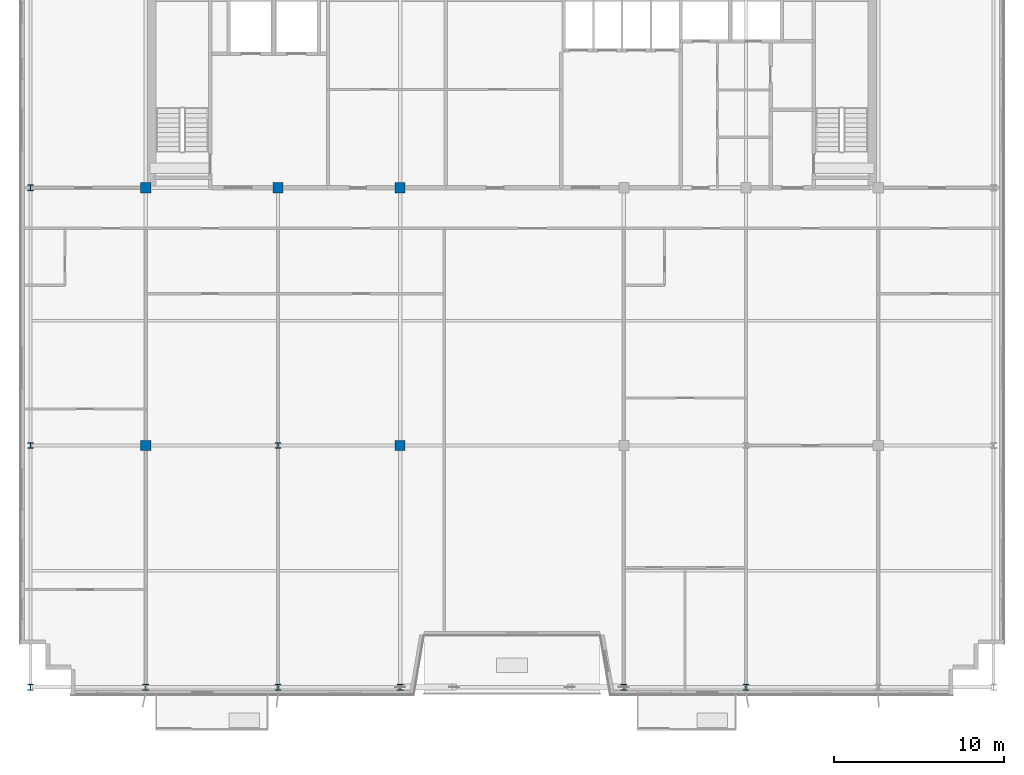
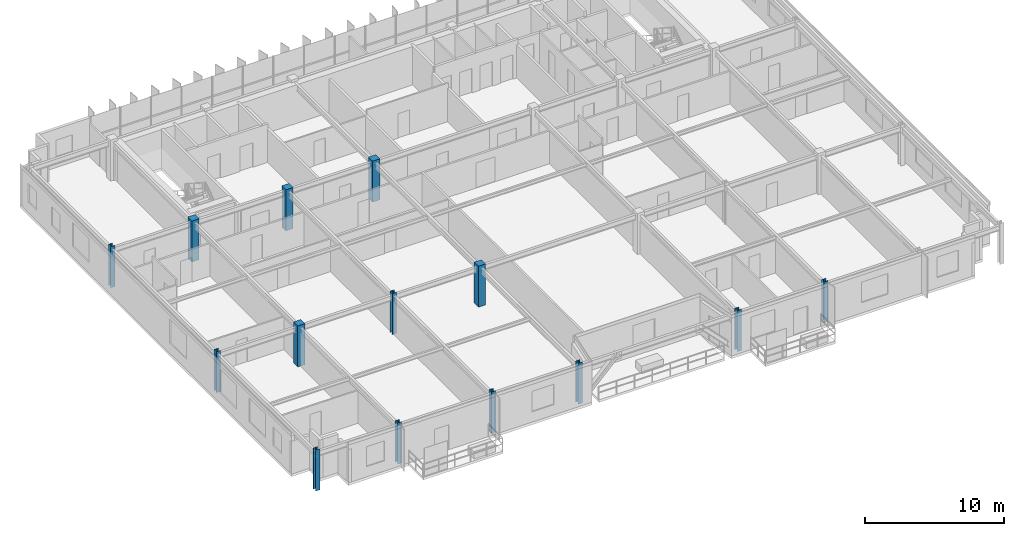
# One storey, part 1 of 22: 14 columns.
"""IFC4 building model written with IfcOpenShell, lengths in metres."""

from ifc_helpers import new_model, si_unit, direction, frame, origin, origin_2d, place, context, subcontext, project, spatial, rectangle, i_section, extrude, source, transform, mapped, material, material_profile, profile_set, type_object, element, save


model = new_model("IFC4")

# Units and contexts
model_context = context("Model", 3, precision=1e-05, world=origin(), true_north=direction((0.0, 1.0)))
body_context = subcontext(model_context, "Body", "Model", "MODEL_VIEW")
ifc_project = project(units=[si_unit("LENGTHUNIT", "METRE"), si_unit("AREAUNIT", "SQUARE_METRE"), si_unit("VOLUMEUNIT", "CUBIC_METRE"), si_unit("PLANEANGLEUNIT", "RADIAN"), si_unit("MASSUNIT", "GRAM", prefix="KILO")], contexts=[model_context])

# Site, building, storey
site_placement = place(None, origin())
site = spatial("IfcSite", under=ifc_project, at=site_placement, CompositionType="ELEMENT")
building_placement = place(site_placement, origin())
building = spatial("IfcBuilding", under=site, at=building_placement, Name="Trelvane Seafront Commons", CompositionType="ELEMENT")
storey_placement = place(building_placement, frame((0.0, 0.0, 288.300048828125)))
storey = spatial("IfcBuildingStorey", under=building, at=storey_placement, Name="L75", CompositionType="ELEMENT", Elevation=288.300048828125)

# Columns
ifc_material_1 = material(Name="Steel SM355 (S355)", Category="steel")
ifc_material_profile_1 = material_profile(ifc_material_1, i_section(OverallWidth=0.35009765625, OverallDepth=0.35009765625, WebThickness=0.01806640625, FlangeThickness=0.028076171875, at=origin_2d()), Name="HD-350x350x18x28")
ifc_profile_set_1 = profile_set([ifc_material_profile_1], Name="Steel SM355 (S355)")
column_type_1 = type_object("IfcColumnType", Name="STR-COL-HD350", PredefinedType="COLUMN", material=ifc_profile_set_1)
shared_shape_1 = source(origin(), body_context, "Body", "SweptSolid", [
    extrude(i_section(OverallWidth=0.35009765625, OverallDepth=0.35009765625, WebThickness=0.01806640625, FlangeThickness=0.028076171875, at=origin_2d()), origin(), (0.0, 0.0, 1.0), 3.599853515625),
])
for number, where, z_axis, x_axis, name in (
    (1, (8.800048828125, 3.949951171875, 0.0), (0.0, 0.0, 1.0), (1.0, 0.0, 0.0), "L75 Column TC-S8.8"),
    (2, (8.800048828125, 18.199951171875, 0.0), (0.0, 0.0, 1.0), (1.0, 0.0, 0.0), "L75 Column TC-M8.8"),
    (3, (8.800048828125, 33.39990234375, 0.0), (0.0, 0.0, 1.0), (1.0, 0.0, 0.0), "L75 Column TC-CS8.8"),
    (4, (15.60009765625, 3.949951171875, 0.0), (0.0, 0.0, 1.0), (1.0, 0.0, 0.0), "L75 Column TC-S15.6"),
    (5, (23.39990234375, 3.949951171875, 0.0), (0.0, 0.0, 1.0), (1.0, 0.0, 0.0), "L75 Column TC-S23.4"),
    (6, (23.39990234375, 18.199951171875, 0.0), (0.0, 0.0, 1.0), (1.0, 0.0, 0.0), "L75 Column TC-M23.4"),
    (7, (30.60009765625, 3.949951171875, 0.0), (0.0, 0.0, 1.0), (1.0, 0.0, 0.0), "L75 Column TC-S30.6"),
    (8, (43.800048828125, 3.949951171875, 0.0), (0.0, 0.0, 1.0), (1.0, 0.0, 0.0), "L75 Column TC-S43.8"),
    (9, (51.0, 3.949951171875, 0.0), (0.0, 0.0, 1.0), (1.0, 0.0, 0.0), "L75 Column TC-S51.0"),
):
    element("IfcColumn", number, at=place(storey_placement, frame(where, z_axis=z_axis, x_axis=x_axis)), inside=storey, type_object=column_type_1, Name=name, PredefinedType="COLUMN", context=body_context, shape_type="MappedRepresentation", body=[
        mapped(shared_shape_1, transform((0.0, 0.0, 0.0), x_axis=(1.0, 0.0, 0.0), y_axis=(0.0, 1.0, 0.0), z_axis=(0.0, 0.0, 1.0), scale=1.0)),
    ])
ifc_material_2 = material(Name="Concrete C50/60", Category="concrete")
ifc_material_profile_2 = material_profile(ifc_material_2, rectangle(XDim=0.60009765625, YDim=0.60009765625, at=origin_2d()), Name="RC-600x600")
ifc_profile_set_2 = profile_set([ifc_material_profile_2], Name="Concrete C50/60")
column_type_2 = type_object("IfcColumnType", Name="STR-COL-RC600", PredefinedType="COLUMN", material=ifc_profile_set_2)
shared_shape_2 = source(origin(), body_context, "Body", "SweptSolid", [
    extrude(rectangle(XDim=0.60009765625, YDim=0.60009765625, at=origin_2d()), origin(), (0.0, 0.0, 1.0), 3.599853515625),
])
for number, where, z_axis, x_axis, name in (
    (10, (15.60009765625, 18.199951171875, 0.0), (0.0, 0.0, 1.0), (1.0, 0.0, 0.0), "L75 Column TC-M15.6"),
    (11, (15.60009765625, 33.39990234375, 0.0), (0.0, 0.0, 1.0), (1.0, 0.0, 0.0), "L75 Column TC-CS15.6"),
    (12, (23.39990234375, 33.39990234375, 0.0), (0.0, 0.0, 1.0), (1.0, 0.0, 0.0), "L75 Column TC-CS23.4"),
    (13, (30.60009765625, 18.199951171875, 0.0), (0.0, 0.0, 1.0), (1.0, 0.0, 0.0), "L75 Column TC-M30.6"),
    (14, (30.60009765625, 33.39990234375, 0.0), (0.0, 0.0, 1.0), (1.0, 0.0, 0.0), "L75 Column TC-CS30.6"),
):
    element("IfcColumn", number, at=place(storey_placement, frame(where, z_axis=z_axis, x_axis=x_axis)), inside=storey, type_object=column_type_2, Name=name, PredefinedType="COLUMN", context=body_context, shape_type="MappedRepresentation", body=[
        mapped(shared_shape_2, transform((0.0, 0.0, 0.0), x_axis=(1.0, 0.0, 0.0), y_axis=(0.0, 1.0, 0.0), z_axis=(0.0, 0.0, 1.0), scale=1.0)),
    ])

save(model, "model.ifc")
